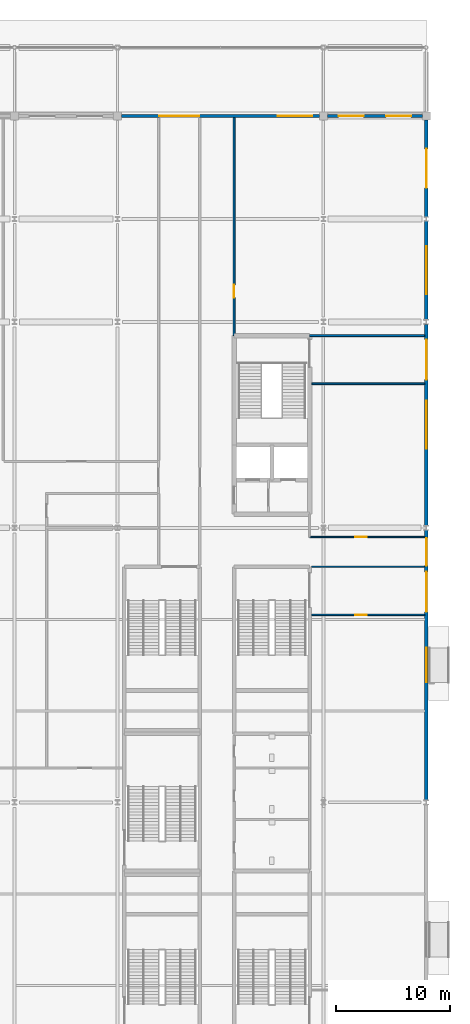
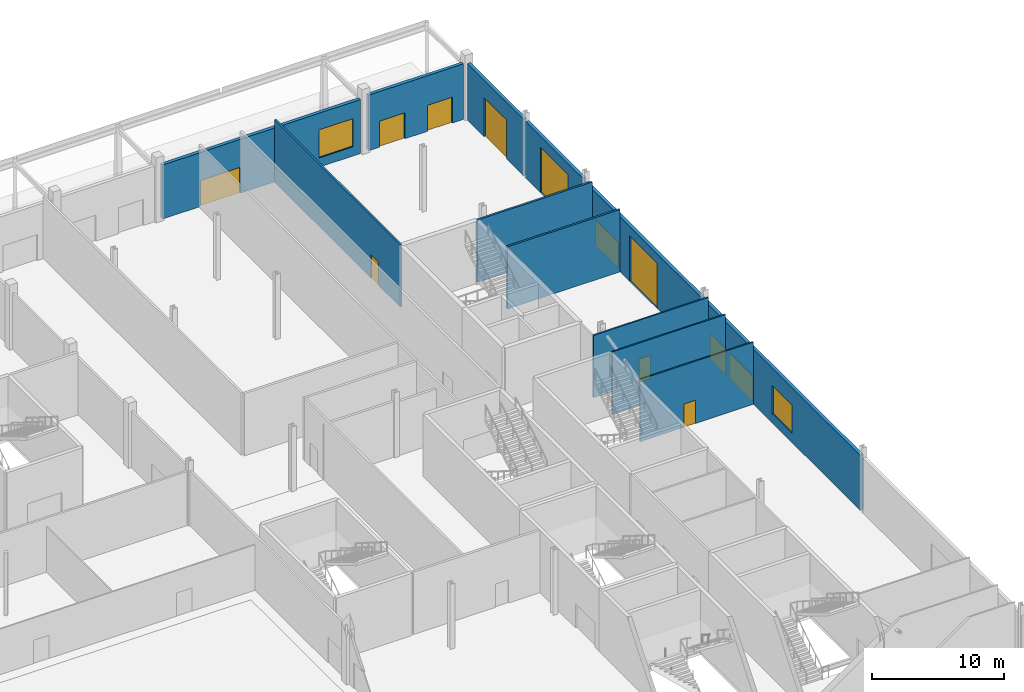
# One storey, part 43 of 84: 12 doors, 12 walls, 2 windows, 14 openings.
"""IFC4 building model written with IfcOpenShell, lengths in metres."""

from ifc_helpers import new_model, si_unit, direction, frame, frame_2d, origin, place, context, subcontext, project, spatial, rectangle, extrude, material, layer, layer_set, type_object, element, fill, save


model = new_model("IFC4")

# Units and contexts
model_context = context("Model", 3, precision=1e-05, world=origin(), true_north=direction((0.0, 1.0)))
body_context = subcontext(model_context, "Body", "Model", "MODEL_VIEW")
ifc_project = project(units=[si_unit("LENGTHUNIT", "METRE"), si_unit("AREAUNIT", "SQUARE_METRE"), si_unit("VOLUMEUNIT", "CUBIC_METRE"), si_unit("PLANEANGLEUNIT", "RADIAN"), si_unit("MASSUNIT", "GRAM", prefix="KILO")], contexts=[model_context])

# Site, building, storey
site_placement = place(None, origin())
site = spatial("IfcSite", under=ifc_project, at=site_placement, CompositionType="ELEMENT")
building_placement = place(site_placement, origin())
building = spatial("IfcBuilding", under=site, at=building_placement, Name="Kisiwana Market Hall", CompositionType="ELEMENT")
storey_placement = place(building_placement, origin())
storey = spatial("IfcBuildingStorey", under=building, at=storey_placement, Name="L00", CompositionType="ELEMENT", Elevation=0.0)

# Wall
ifc_material_1 = material(Name="Masonry blockwork", Category="masonry")
ifc_layer_1 = layer(ifc_material_1, 0.169921875, Name="Protected corridor partition")
ifc_layer_set_1 = layer_set([ifc_layer_1], Name="WL-CORR-170")
wall_type_1 = type_object("IfcWallType", Name="WL-CORR-170", PredefinedType="PARTITIONING", material=ifc_layer_set_1)
wall_1_placement = place(storey_placement, frame((187.800048828125, 100.800048828125, 0.0), z_axis=(0.0, 0.0, 1.0), x_axis=(1.0, 0.0, 0.0)))
element("IfcWall", 1, at=wall_1_placement, inside=storey, type_object=wall_type_1, Name="Interior partition W-0569", PredefinedType="PARTITIONING", context=body_context, shape_type="SweptSolid", body=[
    extrude(rectangle(XDim=10.054931640625, YDim=0.169921875, at=frame_2d((5.02734375, 0.0))), origin(), (0.0, 0.0, 1.0), 5.75),
])

# Wall, opening, door
wall_2_placement = place(storey_placement, frame((181.199951171875, 100.800048828125, 0.0), z_axis=(0.0, 0.0, 1.0), x_axis=(0.0, 1.0, 0.0)))
wall_2 = element("IfcWall", 2, at=wall_2_placement, inside=storey, type_object=wall_type_1, Name="Interior partition W-0575", PredefinedType="PARTITIONING", context=body_context, shape_type="SweptSolid", body=[
    extrude(rectangle(XDim=19.054931640625, YDim=0.169921875, at=frame_2d((9.52734375, 0.0))), origin(), (0.0, 0.0, 1.0), 5.75),
])
opening_1_placement = place(wall_2_placement, frame((3.300048828125, 0.0, 0.0)))
opening_1 = element("IfcOpeningElement", 3, at=opening_1_placement, cuts=wall_2, Name="Opening DR-L00-065", PredefinedType="OPENING", context=body_context, shape_type="SweptSolid", body=[
    extrude(rectangle(XDim=1.14990234375, YDim=2.14990234375, at=frame_2d((0.574951171875, 1.074951171875))), frame((0.0, 0.096923828125, 0.0), z_axis=(0.0, -1.0, 0.0), x_axis=(1.0, 0.0, 0.0)), (0.0, 0.0, 1.0), 0.19384765625),
])
ifc_material_2 = material(Name="Aluminium alloy 6063-T6", Category="aluminium")
door_type_1 = type_object("IfcDoorType", Name="DR-MEET-1150", OperationType="NOTDEFINED", PredefinedType="DOOR", material=ifc_material_2)
door_1_placement = place(opening_1_placement, frame((1.14990234375, 0.0, 0.0), z_axis=(0.0, 0.0, 1.0), x_axis=(-1.0, 0.0, 0.0)))
door_1 = element("IfcDoor", 4, at=door_1_placement, inside=storey, type_object=door_type_1, Name="L00 E North Avenue Foyer Door", OperationType="SINGLE_SWING_RIGHT", OverallHeight=2.14990234375, OverallWidth=1.14990234375, PredefinedType="DOOR", context=body_context, shape_type="SweptSolid", body=[
    extrude(rectangle(XDim=1.14990234375, YDim=2.14990234375, at=frame_2d((0.574951171875, 1.074951171875))), frame((0.0, 0.02490234375, 0.0), z_axis=(0.0, -1.0, 0.0), x_axis=(1.0, 0.0, 0.0)), (0.0, 0.0, 1.0), 0.050048828125),
])
fill(opening_1, door_1)

# Wall
wall_3_placement = place(storey_placement, frame((188.0, 96.60009765625, 0.0), z_axis=(0.0, 0.0, 1.0), x_axis=(1.0, 0.0, 0.0)))
element("IfcWall", 5, at=wall_3_placement, inside=storey, type_object=wall_type_1, Name="Interior partition W-0671", PredefinedType="PARTITIONING", context=body_context, shape_type="SweptSolid", body=[
    extrude(rectangle(XDim=9.85498046875, YDim=0.169921875, at=frame_2d((4.927490234375, 0.0))), origin(), (0.0, 0.0, 1.0), 5.75),
])

# Wall, openings, door, window
ifc_material_3 = material(Name="Masonry blockwork", Category="masonry")
ifc_layer_2 = layer(ifc_material_3, 0.139892578125, Name="Rendered masonry outer leaf")
ifc_material_4 = material(Name="Mineral wool insulation")
ifc_layer_3 = layer(ifc_material_4, 0.074951171875, Name="Mineral wool cavity insulation")
ifc_material_5 = material(Name="Gypsum plasterboard")
ifc_layer_4 = layer(ifc_material_5, 0.074951171875, Name="Calcium silicate inner lining")
ifc_layer_set_2 = layer_set([ifc_layer_2, ifc_layer_3, ifc_layer_4], Name="WL-EXT-MAS-290")
wall_type_2 = type_object("IfcWallType", Name="WL-EXT-MAS-290", PredefinedType="STANDARD", material=ifc_layer_set_2)
wall_4_placement = place(storey_placement, frame((171.342041015625, 120.0, 0.0), z_axis=(0.0, 0.0, 1.0), x_axis=(1.0, 0.0, 0.0)))
wall_4 = element("IfcWall", 6, at=wall_4_placement, inside=storey, type_object=wall_type_2, Name="Exterior wall W-0515", PredefinedType="STANDARD", context=body_context, shape_type="SweptSolid", body=[
    extrude(rectangle(XDim=17.31591796875, YDim=0.2900390625, at=frame_2d((8.657958984375, 0.0))), origin(), (0.0, 0.0, 1.0), 4.98779296875),
])
opening_2_placement = place(wall_4_placement, frame((3.30810546875, 0.0, 0.0)))
opening_2 = element("IfcOpeningElement", 7, at=opening_2_placement, cuts=wall_4, Name="Opening DR-L00-857", PredefinedType="OPENING", context=body_context, shape_type="SweptSolid", body=[
    extrude(rectangle(XDim=3.5, YDim=2.39990234375, at=frame_2d((1.75, 1.199951171875))), frame((0.0, 0.156982421875, 0.0), z_axis=(0.0, -1.0, 0.0), x_axis=(1.0, 0.0, 0.0)), (0.0, 0.0, 1.0), 0.31396484375),
])
opening_3_placement = place(wall_4_placement, frame((13.666015625, 0.0, 0.85009765625)))
opening_3 = element("IfcOpeningElement", 8, at=opening_3_placement, cuts=wall_4, Name="Opening WN-06", PredefinedType="OPENING", context=body_context, shape_type="SweptSolid", body=[
    extrude(rectangle(XDim=3.0, YDim=2.60009765625, at=frame_2d((1.5, 1.300048828125))), frame((0.0, 0.156982421875, 0.0), z_axis=(0.0, -1.0, 0.0), x_axis=(1.0, 0.0, 0.0)), (0.0, 0.0, 1.0), 0.31396484375),
])
ifc_material_6 = material(Name="Aluminium alloy 6063-T6", Category="aluminium")
door_type_2 = type_object("IfcDoorType", Name="DR-EXT-EX-3500", OperationType="DOUBLE_DOOR_SINGLE_SWING", PredefinedType="DOOR", material=ifc_material_6)
door_2_placement = place(opening_2_placement, origin())
door_2 = element("IfcDoor", 9, at=door_2_placement, inside=storey, type_object=door_type_2, Name="Escape passage final exit door DR-L00-857", OperationType="DOUBLE_DOOR_SINGLE_SWING", OverallHeight=2.39990234375, OverallWidth=3.5, PredefinedType="DOOR", context=body_context, shape_type="SweptSolid", body=[
    extrude(rectangle(XDim=3.5, YDim=2.39990234375, at=frame_2d((1.75, 1.199951171875))), frame((0.0, 0.02490234375, 0.0), z_axis=(0.0, -1.0, 0.0), x_axis=(1.0, 0.0, 0.0)), (0.0, 0.0, 1.0), 0.050048828125),
])
fill(opening_2, door_2)
ifc_material_7 = material(Name="Double-glazed solar-control low-E IGU", Category="glass")
window_type = type_object("IfcWindowType", Name="WN-POD-3000x2600", PartitioningType="SINGLE_PANEL", PredefinedType="WINDOW", material=ifc_material_7)
window_1_placement = place(opening_3_placement, origin())
window_1 = element("IfcWindow", 10, at=window_1_placement, inside=storey, type_object=window_type, Name="Exterior window WN-005", OverallHeight=2.60009765625, OverallWidth=3.0, PartitioningType="SINGLE_PANEL", PredefinedType="WINDOW", context=body_context, shape_type="SweptSolid", body=[
    extrude(rectangle(XDim=3.0, YDim=2.60009765625, at=frame_2d((1.5, 1.300048828125))), frame((0.0, 0.030029296875, 0.0), z_axis=(0.0, -1.0, 0.0), x_axis=(1.0, 0.0, 0.0)), (0.0, 0.0, 1.0), 0.06005859375),
])
fill(opening_3, window_1)

# Wall, openings, doors
wall_5_placement = place(storey_placement, frame((189.342041015625, 120.0, 0.0), z_axis=(0.0, 0.0, 1.0), x_axis=(1.0, 0.0, 0.0)))
wall_5 = element("IfcWall", 11, at=wall_5_placement, inside=storey, type_object=wall_type_2, Name="Exterior wall W-0516", PredefinedType="STANDARD", context=body_context, shape_type="SweptSolid", body=[
    extrude(rectangle(XDim=8.31591796875, YDim=0.2900390625, at=frame_2d((4.157958984375, 0.0))), origin(), (0.0, 0.0, 1.0), 5.1376953125),
])
opening_4_placement = place(wall_5_placement, frame((0.97900390625, 0.0, 0.0)))
opening_4 = element("IfcOpeningElement", 12, at=opening_4_placement, cuts=wall_5, Name="Opening DR-L00-858", PredefinedType="OPENING", context=body_context, shape_type="SweptSolid", body=[
    extrude(rectangle(XDim=2.199951171875, YDim=2.39990234375, at=frame_2d((1.10009765625, 1.199951171875))), frame((0.0, 0.156982421875, 0.0), z_axis=(0.0, -1.0, 0.0), x_axis=(1.0, 0.0, 0.0)), (0.0, 0.0, 1.0), 0.31396484375),
])
opening_5_placement = place(wall_5_placement, frame((5.136962890625, 0.0, 0.0)))
opening_5 = element("IfcOpeningElement", 13, at=opening_5_placement, cuts=wall_5, Name="Opening DR-L00-859", PredefinedType="OPENING", context=body_context, shape_type="SweptSolid", body=[
    extrude(rectangle(XDim=2.199951171875, YDim=2.39990234375, at=frame_2d((1.10009765625, 1.199951171875))), frame((0.0, 0.156982421875, 0.0), z_axis=(0.0, -1.0, 0.0), x_axis=(1.0, 0.0, 0.0)), (0.0, 0.0, 1.0), 0.31396484375),
])
ifc_material_8 = material(Name="Aluminium alloy 6063-T6", Category="aluminium")
door_type_3 = type_object("IfcDoorType", Name="DR-EXT-EX-2200", OperationType="DOUBLE_DOOR_SINGLE_SWING", PredefinedType="DOOR", material=ifc_material_8)
door_3_placement = place(opening_4_placement, origin())
door_3 = element("IfcDoor", 14, at=door_3_placement, inside=storey, type_object=door_type_3, Name="Ground avenue pedestrian final exit door DR-L00-858", OperationType="DOUBLE_DOOR_SINGLE_SWING", OverallHeight=2.39990234375, OverallWidth=2.199951171875, PredefinedType="DOOR", context=body_context, shape_type="SweptSolid", body=[
    extrude(rectangle(XDim=2.199951171875, YDim=2.39990234375, at=frame_2d((1.10009765625, 1.199951171875))), frame((0.0, 0.02490234375, 0.0), z_axis=(0.0, -1.0, 0.0), x_axis=(1.0, 0.0, 0.0)), (0.0, 0.0, 1.0), 0.050048828125),
])
fill(opening_4, door_3)
door_4_placement = place(opening_5_placement, origin())
door_4 = element("IfcDoor", 15, at=door_4_placement, inside=storey, type_object=door_type_3, Name="Ground avenue pedestrian final exit door DR-L00-859", OperationType="DOUBLE_DOOR_SINGLE_SWING", OverallHeight=2.39990234375, OverallWidth=2.199951171875, PredefinedType="DOOR", context=body_context, shape_type="SweptSolid", body=[
    extrude(rectangle(XDim=2.199951171875, YDim=2.39990234375, at=frame_2d((1.10009765625, 1.199951171875))), frame((0.0, 0.02490234375, 0.0), z_axis=(0.0, -1.0, 0.0), x_axis=(1.0, 0.0, 0.0)), (0.0, 0.0, 1.0), 0.050048828125),
])
fill(opening_5, door_4)

# Wall, openings, doors, window
wall_6_placement = place(storey_placement, frame((198.0, 60.198486328125, 0.0), z_axis=(0.0, 0.0, 1.0), x_axis=(0.0, 1.0, 0.0)))
wall_6 = element("IfcWall", 16, at=wall_6_placement, inside=storey, type_object=wall_type_2, Name="Exterior wall W-0525", PredefinedType="STANDARD", context=body_context, shape_type="SweptSolid", body=[
    extrude(rectangle(XDim=23.60302734375, YDim=0.2900390625, at=frame_2d((11.801513671875, 0.0))), origin(), (0.0, 0.0, 1.0), 5.06640625),
])
opening_6_placement = place(wall_6_placement, frame((20.50146484375, 0.0, 0.0)))
opening_6 = element("IfcOpeningElement", 17, at=opening_6_placement, cuts=wall_6, Name="Opening DR-L00-873", PredefinedType="OPENING", context=body_context, shape_type="SweptSolid", body=[
    extrude(rectangle(XDim=2.39990234375, YDim=2.39990234375, at=frame_2d((1.199951171875, 1.199951171875))), frame((0.0, 0.156982421875, 0.0), z_axis=(0.0, -1.0, 0.0), x_axis=(1.0, 0.0, 0.0)), (0.0, 0.0, 1.0), 0.31396484375),
])
opening_7_placement = place(wall_6_placement, frame((16.451416015625, 0.0, 0.0)))
opening_7 = element("IfcOpeningElement", 18, at=opening_7_placement, cuts=wall_6, Name="Opening DR-L00-874", PredefinedType="OPENING", context=body_context, shape_type="SweptSolid", body=[
    extrude(rectangle(XDim=3.5, YDim=2.39990234375, at=frame_2d((1.75, 1.199951171875))), frame((0.0, 0.156982421875, 0.0), z_axis=(0.0, -1.0, 0.0), x_axis=(1.0, 0.0, 0.0)), (0.0, 0.0, 1.0), 0.31396484375),
])
opening_8_placement = place(wall_6_placement, frame((10.301513671875, 0.0, 0.85009765625)))
opening_8 = element("IfcOpeningElement", 19, at=opening_8_placement, cuts=wall_6, Name="Opening WN-06", PredefinedType="OPENING", context=body_context, shape_type="SweptSolid", body=[
    extrude(rectangle(XDim=3.0, YDim=2.60009765625, at=frame_2d((1.5, 1.300048828125))), frame((0.0, 0.156982421875, 0.0), z_axis=(0.0, -1.0, 0.0), x_axis=(1.0, 0.0, 0.0)), (0.0, 0.0, 1.0), 0.31396484375),
])
ifc_material_9 = material(Name="Aluminium alloy 6063-T6", Category="aluminium")
door_type_4 = type_object("IfcDoorType", Name="DR-EXT-EX-2400", OperationType="DOUBLE_DOOR_SINGLE_SWING", PredefinedType="DOOR", material=ifc_material_9)
door_5_placement = place(opening_6_placement, frame((2.39990234375, 0.0, 0.0), z_axis=(0.0, 0.0, 1.0), x_axis=(-1.0, 0.0, 0.0)))
door_5 = element("IfcDoor", 20, at=door_5_placement, inside=storey, type_object=door_type_4, Name="Access corridor final exit door DR-L00-873", OperationType="DOUBLE_DOOR_SINGLE_SWING", OverallHeight=2.39990234375, OverallWidth=2.39990234375, PredefinedType="DOOR", context=body_context, shape_type="SweptSolid", body=[
    extrude(rectangle(XDim=2.39990234375, YDim=2.39990234375, at=frame_2d((1.199951171875, 1.199951171875))), frame((0.0, 0.02490234375, 0.0), z_axis=(0.0, -1.0, 0.0), x_axis=(1.0, 0.0, 0.0)), (0.0, 0.0, 1.0), 0.050048828125),
])
fill(opening_6, door_5)
door_6_placement = place(opening_7_placement, frame((3.5, 0.0, 0.0), z_axis=(0.0, 0.0, 1.0), x_axis=(-1.0, 0.0, 0.0)))
door_6 = element("IfcDoor", 21, at=door_6_placement, inside=storey, type_object=door_type_2, Name="Escape passage final exit door DR-L00-874", OperationType="DOUBLE_DOOR_SINGLE_SWING", OverallHeight=2.39990234375, OverallWidth=3.5, PredefinedType="DOOR", context=body_context, shape_type="SweptSolid", body=[
    extrude(rectangle(XDim=3.5, YDim=2.39990234375, at=frame_2d((1.75, 1.199951171875))), frame((0.0, 0.02490234375, 0.0), z_axis=(0.0, -1.0, 0.0), x_axis=(1.0, 0.0, 0.0)), (0.0, 0.0, 1.0), 0.050048828125),
])
fill(opening_7, door_6)
window_2_placement = place(opening_8_placement, origin())
window_2 = element("IfcWindow", 22, at=window_2_placement, inside=storey, type_object=window_type, Name="Exterior window WN-012", OverallHeight=2.60009765625, OverallWidth=3.0, PartitioningType="SINGLE_PANEL", PredefinedType="WINDOW", context=body_context, shape_type="SweptSolid", body=[
    extrude(rectangle(XDim=3.0, YDim=2.60009765625, at=frame_2d((1.5, 1.300048828125))), frame((0.0, 0.030029296875, 0.0), z_axis=(0.0, -1.0, 0.0), x_axis=(1.0, 0.0, 0.0)), (0.0, 0.0, 1.0), 0.06005859375),
])
fill(opening_8, window_2)

# Wall, openings, doors
wall_7_placement = place(storey_placement, frame((198.0, 84.198486328125, 0.0), z_axis=(0.0, 0.0, 1.0), x_axis=(0.0, 1.0, 0.0)))
wall_7 = element("IfcWall", 23, at=wall_7_placement, inside=storey, type_object=wall_type_2, Name="Exterior wall W-0526", PredefinedType="STANDARD", context=body_context, shape_type="SweptSolid", body=[
    extrude(rectangle(XDim=17.60302734375, YDim=0.2900390625, at=frame_2d((8.801513671875, 0.0))), origin(), (0.0, 0.0, 1.0), 5.06640625),
])
opening_9_placement = place(wall_7_placement, frame((12.75146484375, 0.0, 0.0)))
opening_9 = element("IfcOpeningElement", 24, at=opening_9_placement, cuts=wall_7, Name="Opening DR-L00-875", PredefinedType="OPENING", context=body_context, shape_type="SweptSolid", body=[
    extrude(rectangle(XDim=3.5, YDim=2.39990234375, at=frame_2d((1.75, 1.199951171875))), frame((0.0, 0.156982421875, 0.0), z_axis=(0.0, -1.0, 0.0), x_axis=(1.0, 0.0, 0.0)), (0.0, 0.0, 1.0), 0.31396484375),
])
opening_10_placement = place(wall_7_placement, frame((6.701416015625, 0.0, 0.0)))
opening_10 = element("IfcOpeningElement", 25, at=opening_10_placement, cuts=wall_7, Name="Opening GT-L00-001", PredefinedType="OPENING", context=body_context, shape_type="SweptSolid", body=[
    extrude(rectangle(XDim=4.199951171875, YDim=4.199951171875, at=frame_2d((2.10009765625, 2.10009765625))), frame((0.0, 0.156982421875, 0.0), z_axis=(0.0, -1.0, 0.0), x_axis=(1.0, 0.0, 0.0)), (0.0, 0.0, 1.0), 0.31396484375),
])
door_7_placement = place(opening_9_placement, frame((3.5, 0.0, 0.0), z_axis=(0.0, 0.0, 1.0), x_axis=(-1.0, 0.0, 0.0)))
door_7 = element("IfcDoor", 26, at=door_7_placement, inside=storey, type_object=door_type_2, Name="Escape passage final exit door DR-L00-875", OperationType="DOUBLE_DOOR_SINGLE_SWING", OverallHeight=2.39990234375, OverallWidth=3.5, PredefinedType="DOOR", context=body_context, shape_type="SweptSolid", body=[
    extrude(rectangle(XDim=3.5, YDim=2.39990234375, at=frame_2d((1.75, 1.199951171875))), frame((0.0, 0.02490234375, 0.0), z_axis=(0.0, -1.0, 0.0), x_axis=(1.0, 0.0, 0.0)), (0.0, 0.0, 1.0), 0.050048828125),
])
fill(opening_9, door_7)
ifc_material_10 = material(Name="Aluminium alloy 6063-T6", Category="aluminium")
door_type_5 = type_object("IfcDoorType", Name="GT-SYD-4200", OperationType="ROLLINGUP", PredefinedType="GATE", material=ifc_material_10)
door_8_placement = place(opening_10_placement, frame((4.199951171875, 0.0, 0.0), z_axis=(0.0, 0.0, 1.0), x_axis=(-1.0, 0.0, 0.0)))
door_8 = element("IfcDoor", 27, at=door_8_placement, inside=storey, type_object=door_type_5, Name="Service yard vehicle roller shutter gate GT-L00-001", OperationType="ROLLINGUP", OverallHeight=4.199951171875, OverallWidth=4.199951171875, PredefinedType="GATE", context=body_context, shape_type="SweptSolid", body=[
    extrude(rectangle(XDim=4.199951171875, YDim=4.199951171875, at=frame_2d((2.10009765625, 2.10009765625))), frame((0.0, 0.02490234375, 0.0), z_axis=(0.0, -1.0, 0.0), x_axis=(1.0, 0.0, 0.0)), (0.0, 0.0, 1.0), 0.050048828125),
])
fill(opening_10, door_8)

# Wall, opening, door
wall_8_placement = place(storey_placement, frame((198.0, 102.198486328125, 0.0), z_axis=(0.0, 0.0, 1.0), x_axis=(0.0, 1.0, 0.0)))
wall_8 = element("IfcWall", 28, at=wall_8_placement, inside=storey, type_object=wall_type_2, Name="Exterior wall W-0527", PredefinedType="STANDARD", context=body_context, shape_type="SweptSolid", body=[
    extrude(rectangle(XDim=8.60986328125, YDim=0.2900390625, at=frame_2d((4.304931640625, 0.0))), origin(), (0.0, 0.0, 1.0), 5.216796875),
])
opening_11_placement = place(wall_8_placement, frame((2.204833984375, 0.0, 0.0)))
opening_11 = element("IfcOpeningElement", 29, at=opening_11_placement, cuts=wall_8, Name="Opening GT-L00-002", PredefinedType="OPENING", context=body_context, shape_type="SweptSolid", body=[
    extrude(rectangle(XDim=4.199951171875, YDim=4.199951171875, at=frame_2d((2.10009765625, 2.10009765625))), frame((0.0, 0.156982421875, 0.0), z_axis=(0.0, -1.0, 0.0), x_axis=(1.0, 0.0, 0.0)), (0.0, 0.0, 1.0), 0.31396484375),
])
door_9_placement = place(opening_11_placement, frame((4.199951171875, 0.0, 0.0), z_axis=(0.0, 0.0, 1.0), x_axis=(-1.0, 0.0, 0.0)))
door_9 = element("IfcDoor", 30, at=door_9_placement, inside=storey, type_object=door_type_5, Name="Service yard vehicle roller shutter gate GT-L00-002", OperationType="ROLLINGUP", OverallHeight=4.199951171875, OverallWidth=4.199951171875, PredefinedType="GATE", context=body_context, shape_type="SweptSolid", body=[
    extrude(rectangle(XDim=4.199951171875, YDim=4.199951171875, at=frame_2d((2.10009765625, 2.10009765625))), frame((0.0, 0.02490234375, 0.0), z_axis=(0.0, -1.0, 0.0), x_axis=(1.0, 0.0, 0.0)), (0.0, 0.0, 1.0), 0.050048828125),
])
fill(opening_11, door_9)

wall_9_placement = place(storey_placement, frame((198.0, 111.191650390625, 0.0), z_axis=(0.0, 0.0, 1.0), x_axis=(0.0, 1.0, 0.0)))
wall_9 = element("IfcWall", 31, at=wall_9_placement, inside=storey, type_object=wall_type_2, Name="Exterior wall W-0528", PredefinedType="STANDARD", context=body_context, shape_type="SweptSolid", body=[
    extrude(rectangle(XDim=8.46630859375, YDim=0.2900390625, at=frame_2d((4.233154296875, 0.0))), origin(), (0.0, 0.0, 1.0), 5.216796875),
])
opening_12_placement = place(wall_9_placement, frame((2.533203125, 0.0, 0.0)))
opening_12 = element("IfcOpeningElement", 32, at=opening_12_placement, cuts=wall_9, Name="Opening GT-L00-003", PredefinedType="OPENING", context=body_context, shape_type="SweptSolid", body=[
    extrude(rectangle(XDim=3.39990234375, YDim=3.60009765625, at=frame_2d((1.699951171875, 1.800048828125))), frame((0.0, 0.156982421875, 0.0), z_axis=(0.0, -1.0, 0.0), x_axis=(1.0, 0.0, 0.0)), (0.0, 0.0, 1.0), 0.31396484375),
])
ifc_material_11 = material(Name="Aluminium alloy 6063-T6", Category="aluminium")
door_type_6 = type_object("IfcDoorType", Name="GT-LDK-3400", OperationType="ROLLINGUP", PredefinedType="GATE", material=ifc_material_11)
door_10_placement = place(opening_12_placement, frame((3.39990234375, 0.0, 0.0), z_axis=(0.0, 0.0, 1.0), x_axis=(-1.0, 0.0, 0.0)))
door_10 = element("IfcDoor", 33, at=door_10_placement, inside=storey, type_object=door_type_6, Name="Service yard vehicle roller shutter gate GT-L00-003", OperationType="ROLLINGUP", OverallHeight=3.60009765625, OverallWidth=3.39990234375, PredefinedType="GATE", context=body_context, shape_type="SweptSolid", body=[
    extrude(rectangle(XDim=3.39990234375, YDim=3.60009765625, at=frame_2d((1.699951171875, 1.800048828125))), frame((0.0, 0.02490234375, 0.0), z_axis=(0.0, -1.0, 0.0), x_axis=(1.0, 0.0, 0.0)), (0.0, 0.0, 1.0), 0.050048828125),
])
fill(opening_12, door_10)

# Wall
ifc_material_12 = material(Name="Gypsum plasterboard")
ifc_layer_5 = layer(ifc_material_12, 0.125, Name="Double gypsum board + acoustic stud")
ifc_layer_set_3 = layer_set([ifc_layer_5], Name="WL-OFF-125")
wall_type_3 = type_object("IfcWallType", Name="WL-OFF-125", PredefinedType="PARTITIONING", material=ifc_layer_set_3)
wall_10_placement = place(storey_placement, frame((187.9599609375, 80.60009765625, 0.0), z_axis=(0.0, 0.0, 1.0), x_axis=(1.0, 0.0, 0.0)))
element("IfcWall", 34, at=wall_10_placement, inside=storey, type_object=wall_type_3, Name="Interior partition W-0572", PredefinedType="PARTITIONING", context=body_context, shape_type="SweptSolid", body=[
    extrude(rectangle(XDim=9.89501953125, YDim=0.125, at=frame_2d((4.947509765625, 0.0))), origin(), (0.0, 0.0, 1.0), 5.75),
])

# Wall, opening, door
wall_11_placement = place(storey_placement, frame((187.800048828125, 83.199951171875, 0.0), z_axis=(0.0, 0.0, 1.0), x_axis=(1.0, 0.0, 0.0)))
wall_11 = element("IfcWall", 35, at=wall_11_placement, inside=storey, type_object=wall_type_3, Name="Interior partition W-0573", PredefinedType="PARTITIONING", context=body_context, shape_type="SweptSolid", body=[
    extrude(rectangle(XDim=10.054931640625, YDim=0.125, at=frame_2d((5.02734375, 0.0))), origin(), (0.0, 0.0, 1.0), 5.75),
])
opening_13_placement = place(wall_11_placement, frame((4.0, 0.0, 0.0)))
opening_13 = element("IfcOpeningElement", 36, at=opening_13_placement, cuts=wall_11, Name="Opening DR-L00-063", PredefinedType="OPENING", context=body_context, shape_type="SweptSolid", body=[
    extrude(rectangle(XDim=1.0, YDim=2.14990234375, at=frame_2d((0.5, 1.074951171875))), frame((0.0, 0.074462890625, 0.0), z_axis=(0.0, -1.0, 0.0), x_axis=(1.0, 0.0, 0.0)), (0.0, 0.0, 1.0), 0.14892578125),
])
ifc_material_13 = material(Name="Steel S275", Category="steel")
door_type_7 = type_object("IfcDoorType", Name="DR-OFF-FD30-1000", OperationType="NOTDEFINED", PredefinedType="DOOR", material=ifc_material_13)
door_11_placement = place(opening_13_placement, origin())
door_11 = element("IfcDoor", 37, at=door_11_placement, inside=storey, type_object=door_type_7, Name="L00 E Municipal Office North Door", OperationType="SINGLE_SWING_LEFT", OverallHeight=2.14990234375, OverallWidth=1.0, PredefinedType="DOOR", context=body_context, shape_type="SweptSolid", body=[
    extrude(rectangle(XDim=1.0, YDim=2.14990234375, at=frame_2d((0.5, 1.074951171875))), frame((0.0, 0.02490234375, 0.0), z_axis=(0.0, -1.0, 0.0), x_axis=(1.0, 0.0, 0.0)), (0.0, 0.0, 1.0), 0.050048828125),
])
fill(opening_13, door_11)

wall_12_placement = place(storey_placement, frame((187.9599609375, 76.39990234375, 0.0), z_axis=(0.0, 0.0, 1.0), x_axis=(1.0, 0.0, 0.0)))
wall_12 = element("IfcWall", 38, at=wall_12_placement, inside=storey, type_object=wall_type_3, Name="Interior partition W-0652", PredefinedType="PARTITIONING", context=body_context, shape_type="SweptSolid", body=[
    extrude(rectangle(XDim=9.89501953125, YDim=0.125, at=frame_2d((4.947509765625, 0.0))), origin(), (0.0, 0.0, 1.0), 5.75),
])
opening_14_placement = place(wall_12_placement, frame((3.840087890625, 0.0, 0.0)))
opening_14 = element("IfcOpeningElement", 39, at=opening_14_placement, cuts=wall_12, Name="Opening DR-L00-107", PredefinedType="OPENING", context=body_context, shape_type="SweptSolid", body=[
    extrude(rectangle(XDim=1.0, YDim=2.14990234375, at=frame_2d((0.5, 1.074951171875))), frame((0.0, 0.074462890625, 0.0), z_axis=(0.0, -1.0, 0.0), x_axis=(1.0, 0.0, 0.0)), (0.0, 0.0, 1.0), 0.14892578125),
])
door_12_placement = place(opening_14_placement, origin())
door_12 = element("IfcDoor", 40, at=door_12_placement, inside=storey, type_object=door_type_7, Name="L00 E Municipal Office Central North Door", OperationType="SINGLE_SWING_LEFT", OverallHeight=2.14990234375, OverallWidth=1.0, PredefinedType="DOOR", context=body_context, shape_type="SweptSolid", body=[
    extrude(rectangle(XDim=1.0, YDim=2.14990234375, at=frame_2d((0.5, 1.074951171875))), frame((0.0, 0.02490234375, 0.0), z_axis=(0.0, -1.0, 0.0), x_axis=(1.0, 0.0, 0.0)), (0.0, 0.0, 1.0), 0.050048828125),
])
fill(opening_14, door_12)

save(model, "model.ifc")
